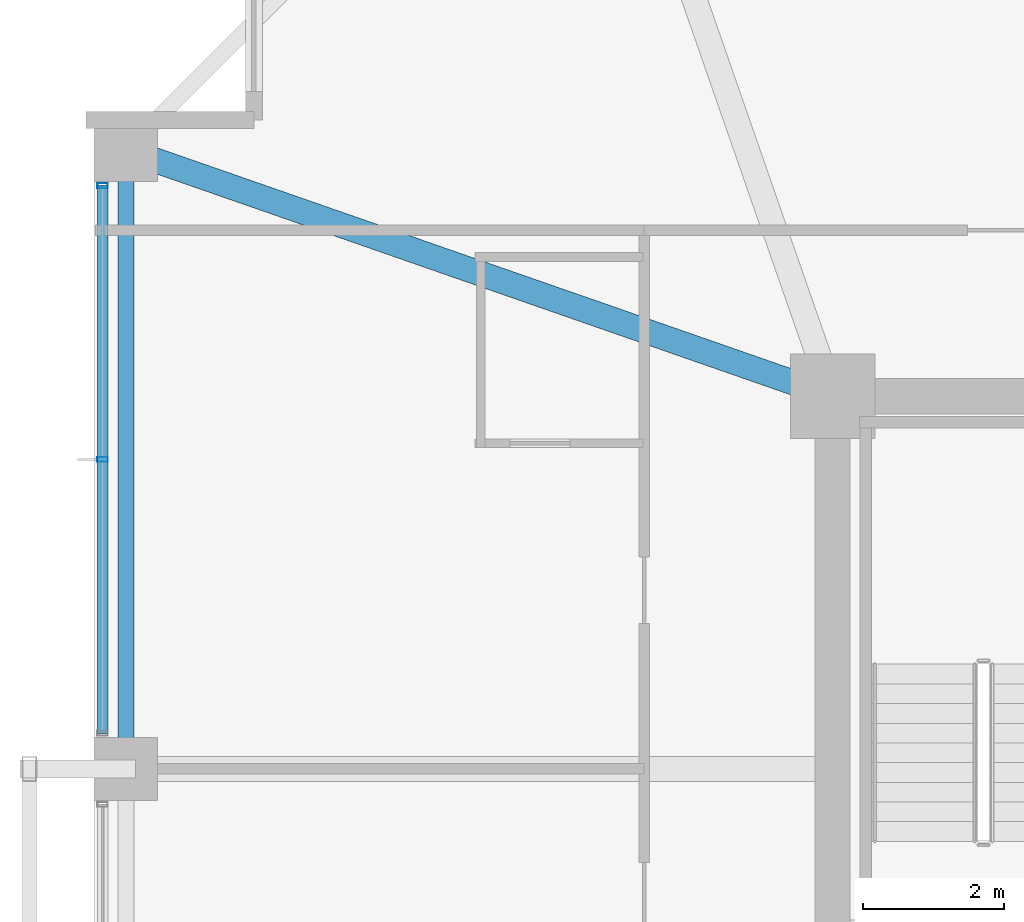
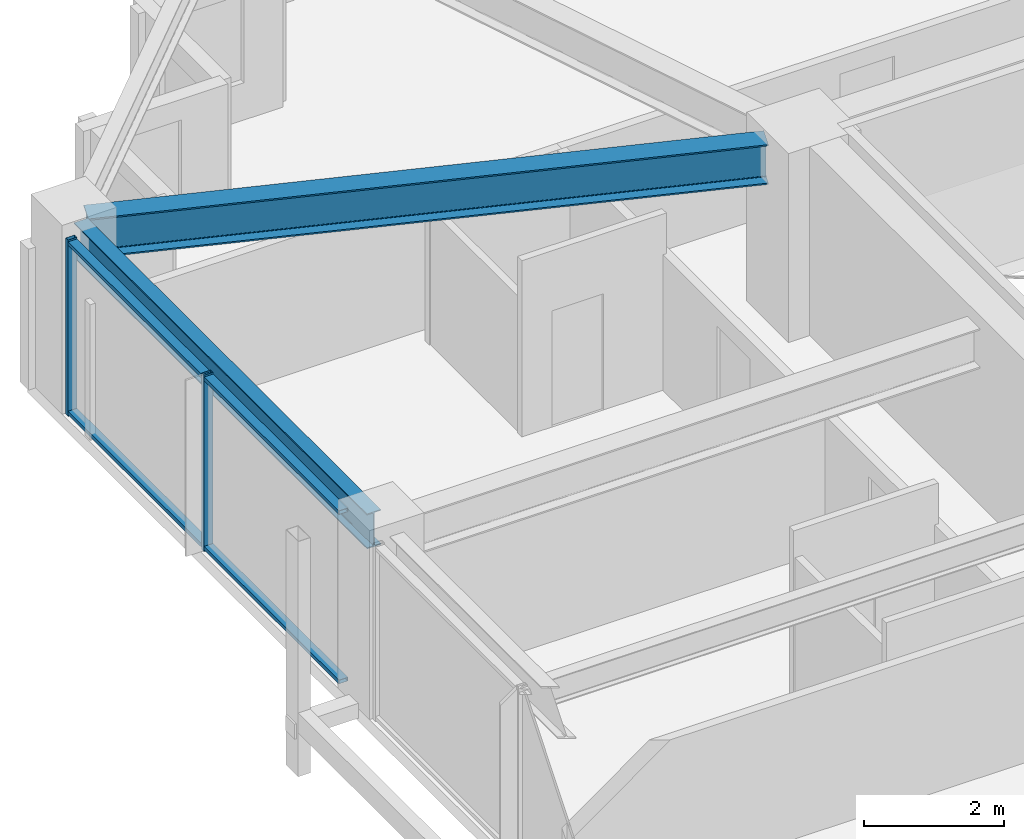
# One storey, part 16 of 37: 4 members, 2 beams, 1 element without a shape of its own.
"""IFC4 building model written with IfcOpenShell, lengths in metres."""

from ifc_helpers import new_model, si_unit, direction, frame, origin, origin_2d, place, context, subcontext, project, spatial, hollow_rectangle, i_section, extrude, material, material_profile, profile_set, type_object, element, aggregate, save


model = new_model("IFC4")

# Units and contexts
model_context = context("Model", 3, precision=1e-05, world=origin(), true_north=direction((0.0, 1.0)))
body_context = subcontext(model_context, "Body", "Model", "MODEL_VIEW")
ifc_project = project(units=[si_unit("LENGTHUNIT", "METRE"), si_unit("AREAUNIT", "SQUARE_METRE"), si_unit("VOLUMEUNIT", "CUBIC_METRE"), si_unit("PLANEANGLEUNIT", "RADIAN"), si_unit("MASSUNIT", "GRAM", prefix="KILO")], contexts=[model_context])

# Site, building, storey
site_placement = place(None, origin())
site = spatial("IfcSite", under=ifc_project, at=site_placement, CompositionType="ELEMENT")
building_placement = place(site_placement, origin())
building = spatial("IfcBuilding", under=site, at=building_placement, Name="Kolvaren Belvedere", CompositionType="ELEMENT")
storey_placement = place(building_placement, frame((0.0, 0.0, 173.39990234375)))
storey = spatial("IfcBuildingStorey", under=building, at=storey_placement, Name="L50", CompositionType="ELEMENT", Elevation=173.39990234375)

# Beams
ifc_material_1 = material(Name="Structural steel ASTM A992 Grade 50", Category="steel")
ifc_material_profile_1 = material_profile(ifc_material_1, i_section(OverallWidth=0.35498046875, OverallDepth=0.696044921875, WebThickness=0.015380859375, FlangeThickness=0.02490234375, FilletRadius=0.02197265625, at=origin_2d()), Name="W27X146")
ifc_profile_set_1 = profile_set([ifc_material_profile_1], Name="Structural steel ASTM A992 Grade 50")
beam_type_1 = type_object("IfcBeamType", Name="BM-GIRD-W27X146", PredefinedType="BEAM", material=ifc_profile_set_1)
beam_1_placement = place(storey_placement, frame((-10.41943359375, 10.080810546875, 2.732177734375), z_axis=(-0.944366798861, 0.328894130701, 0.0), x_axis=(-0.328894130701, -0.944366798861, 0.0)))
element("IfcBeam", 1, at=beam_1_placement, inside=storey, type_object=beam_type_1, Name="L50 Corner Core-to-Perimeter Girder CC4-W4", PredefinedType="BEAM", context=body_context, shape_type="SweptSolid", body=[
    extrude(i_section(OverallWidth=0.35498046875, OverallDepth=0.696044921875, WebThickness=0.015380859375, FlangeThickness=0.02490234375, FilletRadius=0.02197265625, at=origin_2d()), origin(), (0.0, 0.0, 1.0), 9.912109375),
])
ifc_material_2 = material(Name="Structural steel ASTM A992 Grade 50", Category="steel")
ifc_material_profile_2 = material_profile(ifc_material_2, i_section(OverallWidth=0.22900390625, OverallDepth=0.612060546875, WebThickness=0.011962890625, FlangeThickness=0.01953125, FilletRadius=0.01806640625, at=origin_2d()), Name="W24X84")
ifc_profile_set_2 = profile_set([ifc_material_profile_2], Name="Structural steel ASTM A992 Grade 50")
beam_type_2 = type_object("IfcBeamType", Name="BM-SPAN-W24X84", PredefinedType="SPANDREL", material=ifc_profile_set_2)
beam_2_placement = place(storey_placement, frame((-19.949951171875, 13.197509765625, 2.774169921875), z_axis=(0.0, -1.0, 0.0), x_axis=(1.0, 0.0, 0.0)))
element("IfcBeam", 2, at=beam_2_placement, inside=storey, type_object=beam_type_2, Name="L50 Perimeter Spandrel W4-W3", PredefinedType="SPANDREL", context=body_context, shape_type="SweptSolid", body=[
    extrude(i_section(OverallWidth=0.22900390625, OverallDepth=0.612060546875, WebThickness=0.011962890625, FlangeThickness=0.01953125, FilletRadius=0.01806640625, at=origin_2d()), origin(), (0.0, 0.0, 1.0), 8.39501953125),
])

# Curtain wall, members
ifc_material_3 = material(Name="Anodised pale-metal aluminium AA 6063-T6", Category="aluminium")
curtain_wall_type = type_object("IfcCurtainWallType", Name="CW-Z5-HIGH", PredefinedType="NOTDEFINED", material=ifc_material_3)
curtain_wall_placement = place(storey_placement, origin())
curtain_wall = element("IfcCurtainWall", 3, at=curtain_wall_placement, inside=storey, type_object=curtain_wall_type, Name="L50 Unitised Curtain Wall FCW-L50-W-B3", PredefinedType="NOTDEFINED")
ifc_material_4 = material(Name="Anodised pale-metal aluminium AA 6063-T6", Category="aluminium")
ifc_material_profile_3 = material_profile(ifc_material_4, hollow_rectangle(XDim=0.070068359375, YDim=0.14990234375, WallThickness=0.004150390625, at=origin_2d()), Name="ALU-MUL-150X70")
ifc_profile_set_3 = profile_set([ifc_material_profile_3], Name="Anodised pale-metal aluminium AA 6063-T6")
member_type_1 = type_object("IfcMemberType", Name="CW-MUL-150", PredefinedType="MULLION", material=ifc_profile_set_3)
member_1_placement = place(storey_placement, frame((-20.280029296875, 9.0, 0.0), z_axis=(0.0, 0.0, 1.0), x_axis=(0.0, 1.0, 0.0)))
member_1 = element("IfcMember", 4, at=member_1_placement, type_object=member_type_1, Name="FCW-L50-W-B3 Unitised Mullion 2", PredefinedType="MULLION", context=body_context, shape_type="SweptSolid", body=[
    extrude(hollow_rectangle(XDim=0.070068359375, YDim=0.14990234375, WallThickness=0.004150390625, at=origin_2d()), origin(), (0.0, 0.0, 1.0), 3.080078125),
])
member_2_placement = place(storey_placement, frame((-20.280029296875, 12.89501953125, 0.0), z_axis=(0.0, 0.0, 1.0), x_axis=(0.0, 1.0, 0.0)))
member_2 = element("IfcMember", 5, at=member_2_placement, type_object=member_type_1, Name="FCW-L50-W-B3 Unitised Mullion 3", PredefinedType="MULLION", context=body_context, shape_type="SweptSolid", body=[
    extrude(hollow_rectangle(XDim=0.070068359375, YDim=0.14990234375, WallThickness=0.004150390625, at=origin_2d()), origin(), (0.0, 0.0, 1.0), 3.080078125),
])
ifc_material_5 = material(Name="Anodised pale-metal aluminium AA 6063-T6", Category="aluminium")
ifc_material_profile_4 = material_profile(ifc_material_5, hollow_rectangle(XDim=0.06494140625, YDim=0.14990234375, WallThickness=0.00390625, at=origin_2d()), Name="ALU-TRN-150X65")
ifc_profile_set_4 = profile_set([ifc_material_profile_4], Name="Anodised pale-metal aluminium AA 6063-T6")
member_type_2 = type_object("IfcMemberType", Name="CW-TRN-150", PredefinedType="USERDEFINED", material=ifc_profile_set_4)
member_3_placement = place(storey_placement, frame((-20.280029296875, 5.10498046875, 0.06005859375), z_axis=(0.0, 1.0, 0.0), x_axis=(0.0, 0.0, 1.0)))
member_3 = element("IfcMember", 6, at=member_3_placement, type_object=member_type_2, Name="FCW-L50-W-B3 Sill Transom", ObjectType="TRANSOM", PredefinedType="USERDEFINED", context=body_context, shape_type="SweptSolid", body=[
    extrude(hollow_rectangle(XDim=0.06494140625, YDim=0.14990234375, WallThickness=0.00390625, at=origin_2d()), origin(), (0.0, 0.0, 1.0), 7.7900390625),
])
member_4_placement = place(storey_placement, frame((-20.280029296875, 5.10498046875, 3.02001953125), z_axis=(0.0, 1.0, 0.0), x_axis=(0.0, 0.0, 1.0)))
member_4 = element("IfcMember", 7, at=member_4_placement, type_object=member_type_2, Name="FCW-L50-W-B3 Head Transom", ObjectType="TRANSOM", PredefinedType="USERDEFINED", context=body_context, shape_type="SweptSolid", body=[
    extrude(hollow_rectangle(XDim=0.06494140625, YDim=0.14990234375, WallThickness=0.00390625, at=origin_2d()), origin(), (0.0, 0.0, 1.0), 7.7900390625),
])
aggregate(curtain_wall, [member_1, member_2, member_3, member_4])

save(model, "model.ifc")
